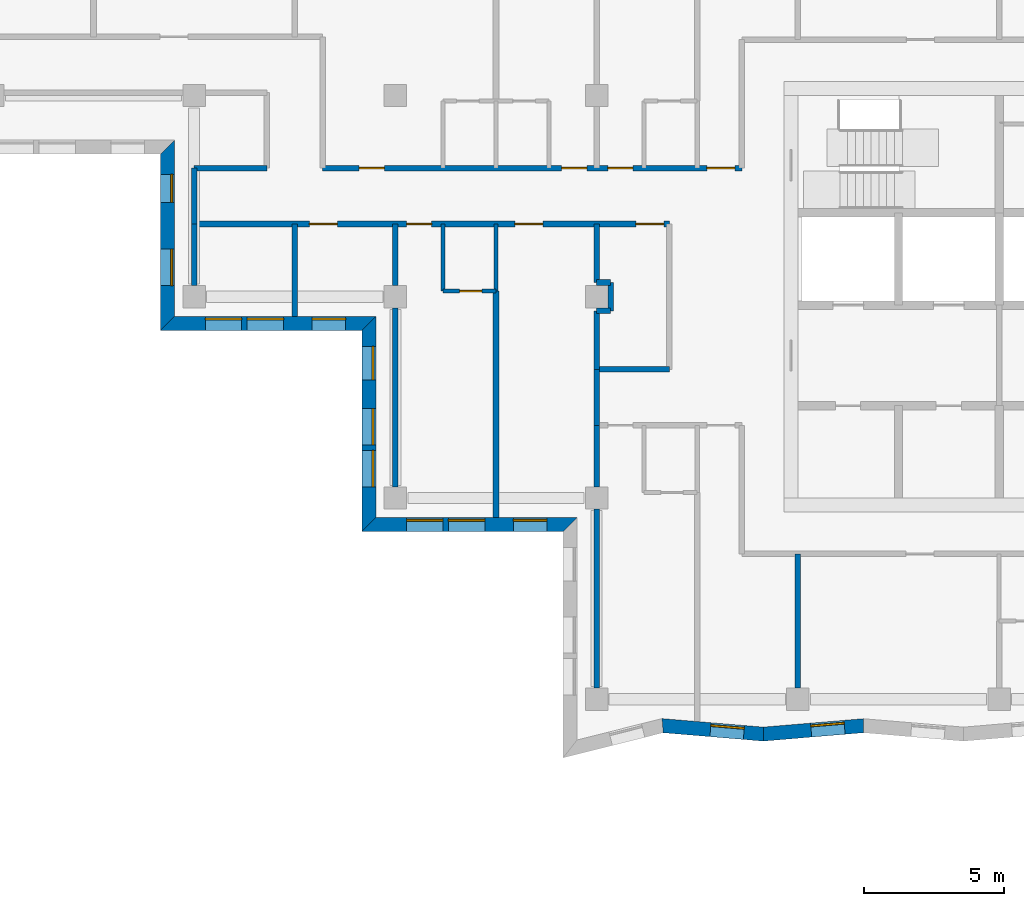
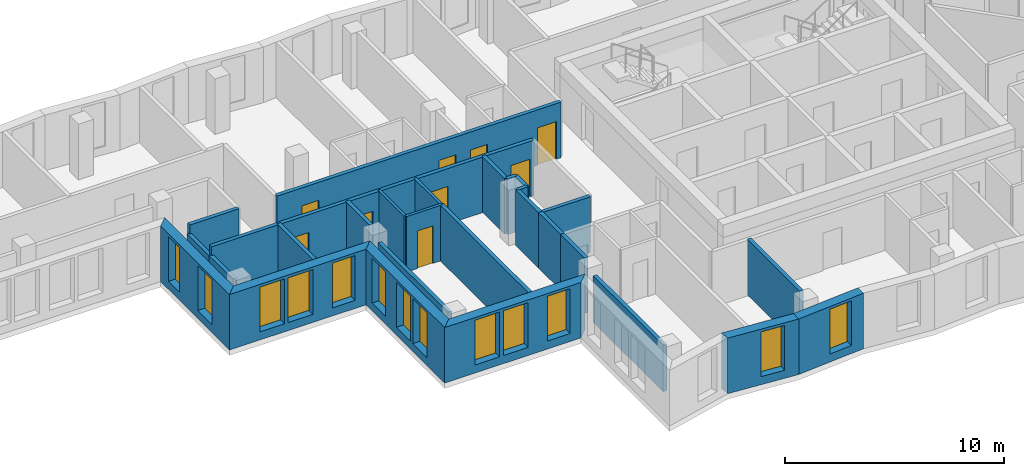
# One storey, part 2 of 11: 28 walls, 13 windows, 9 doors, 22 openings.
"""IFC4 building model written with IfcOpenShell, lengths in metres."""

from ifc_helpers import new_model, si_unit, direction, frame, frame_2d, origin, place, context, subcontext, project, spatial, polyline, rectangle, outline, extrude, material, layer, layer_set, type_object, element, fill, save


model = new_model("IFC4")

# Units and contexts
model_context = context("Model", 3, precision=1e-05, world=origin(), true_north=direction((0.0, 1.0)))
body_context = subcontext(model_context, "Body", "Model", "MODEL_VIEW")
ifc_project = project(units=[si_unit("LENGTHUNIT", "METRE"), si_unit("AREAUNIT", "SQUARE_METRE"), si_unit("VOLUMEUNIT", "CUBIC_METRE"), si_unit("PLANEANGLEUNIT", "RADIAN"), si_unit("MASSUNIT", "GRAM", prefix="KILO")], contexts=[model_context])

# Site, building, storey
site_placement = place(None, origin())
site = spatial("IfcSite", under=ifc_project, at=site_placement, CompositionType="ELEMENT")
building_placement = place(site_placement, origin())
building = spatial("IfcBuilding", under=site, at=building_placement, Name="Windrow Commons", CompositionType="ELEMENT")
storey_placement = place(building_placement, frame((0.0, 0.0, 189.6)))
storey = spatial("IfcBuildingStorey", under=building, at=storey_placement, Name="L51", CompositionType="ELEMENT", Elevation=189.6)

# Wall, openings, windows
ifc_material_1 = material(Name="Brick masonry, red clay brick", Category="masonry")
ifc_layer_1 = layer(ifc_material_1, 0.5)
ifc_layer_set_1 = layer_set([ifc_layer_1], Name="Brick facade wall 500")
wall_type_1 = type_object("IfcWallType", Name="Brick facade wall 500", PredefinedType="SOLIDWALL", material=ifc_layer_set_1)
wall_1_placement = place(storey_placement, frame((35.05, 62.95, 0.0), z_axis=(0.0, 0.0, 1.0), x_axis=(0.0, -1.0, 0.0)))
wall_1 = element("IfcWall", 1, at=wall_1_placement, inside=storey, type_object=wall_type_1, Name="Brick facade wall L51 35", PredefinedType="SOLIDWALL", context=body_context, shape_type="SweptSolid", body=[
    extrude(outline(polyline([(0.25, -0.25), (6.55, -0.25), (6.05, 0.25), (-0.25, 0.25), (0.25, -0.25)])), origin(), (0.0, 0.0, 1.0), 3.1),
])
opening_1_placement = place(wall_1_placement, frame((3.65, 0.0, 0.45)))
opening_1 = element("IfcOpeningElement", 2, at=opening_1_placement, cuts=wall_1, Name="Opening W1Q", PredefinedType="OPENING", context=body_context, shape_type="SweptSolid", body=[
    extrude(rectangle(XDim=1.3, YDim=2.5, at=frame_2d((0.65, 1.25))), frame((0.0, 0.26, 0.0), z_axis=(0.0, -1.0, 0.0), x_axis=(1.0, 0.0, 0.0)), (0.0, 0.0, 1.0), 0.52),
])
opening_2_placement = place(wall_1_placement, frame((0.975, 0.0, 0.45)))
opening_2 = element("IfcOpeningElement", 3, at=opening_2_placement, cuts=wall_1, Name="Opening W1S", PredefinedType="OPENING", context=body_context, shape_type="SweptSolid", body=[
    extrude(rectangle(XDim=1.0, YDim=2.5, at=frame_2d((0.5, 1.25))), frame((0.0, 0.26, 0.0), z_axis=(0.0, -1.0, 0.0), x_axis=(1.0, 0.0, 0.0)), (0.0, 0.0, 1.0), 0.52),
])
ifc_material_2 = material(Name="Clear float glass in anodised aluminium frame", Category="aluminium")
window_type_1 = type_object("IfcWindowType", Name="Window W1Q pair 1300x2500", PartitioningType="SINGLE_PANEL", PredefinedType="WINDOW", material=ifc_material_2)
window_1_placement = place(opening_1_placement, origin())
window_1 = element("IfcWindow", 4, at=window_1_placement, inside=storey, type_object=window_type_1, Name="Window L51 35.1B", OverallHeight=2.5, OverallWidth=1.3, PartitioningType="SINGLE_PANEL", PredefinedType="WINDOW", context=body_context, shape_type="SweptSolid", body=[
    extrude(rectangle(XDim=1.3, YDim=2.5, at=frame_2d((0.65, 1.25))), frame((0.0, 0.18, 0.0), z_axis=(0.0, -1.0, 0.0), x_axis=(1.0, 0.0, 0.0)), (0.0, 0.0, 1.0), 0.06),
])
fill(opening_1, window_1)
ifc_material_3 = material(Name="Clear float glass in anodised aluminium frame", Category="aluminium")
window_type_2 = type_object("IfcWindowType", Name="Window W1S slit 1000x2500", PartitioningType="SINGLE_PANEL", PredefinedType="WINDOW", material=ifc_material_3)
window_2_placement = place(opening_2_placement, origin())
window_2 = element("IfcWindow", 5, at=window_2_placement, inside=storey, type_object=window_type_2, Name="Window L51 35.2A", OverallHeight=2.5, OverallWidth=1.0, PartitioningType="SINGLE_PANEL", PredefinedType="WINDOW", context=body_context, shape_type="SweptSolid", body=[
    extrude(rectangle(XDim=1.0, YDim=2.5, at=frame_2d((0.5, 1.25))), frame((0.0, 0.18, 0.0), z_axis=(0.0, -1.0, 0.0), x_axis=(1.0, 0.0, 0.0)), (0.0, 0.0, 1.0), 0.06),
])
fill(opening_2, window_2)

wall_2_placement = place(storey_placement, frame((35.05, 56.65, 0.0), z_axis=(0.0, 0.0, 1.0), x_axis=(1.0, 0.0, 0.0)))
wall_2 = element("IfcWall", 6, at=wall_2_placement, inside=storey, type_object=wall_type_1, Name="Brick facade wall L51 36", PredefinedType="SOLIDWALL", context=body_context, shape_type="SweptSolid", body=[
    extrude(outline(polyline([(-0.25, -0.25), (6.95, -0.25), (7.45, 0.25), (0.25, 0.25), (-0.25, -0.25)])), origin(), (0.0, 0.0, 1.0), 3.1),
])
opening_3_placement = place(wall_2_placement, frame((1.35, 0.0, 0.45)))
opening_3 = element("IfcOpeningElement", 7, at=opening_3_placement, cuts=wall_2, Name="Opening W1Q", PredefinedType="OPENING", context=body_context, shape_type="SweptSolid", body=[
    extrude(rectangle(XDim=1.3, YDim=2.5, at=frame_2d((0.65, 1.25))), frame((0.0, 0.26, 0.0), z_axis=(0.0, -1.0, 0.0), x_axis=(1.0, 0.0, 0.0)), (0.0, 0.0, 1.0), 0.52),
])
opening_4_placement = place(wall_2_placement, frame((2.85, 0.0, 0.45)))
opening_4 = element("IfcOpeningElement", 8, at=opening_4_placement, cuts=wall_2, Name="Opening W1Q", PredefinedType="OPENING", context=body_context, shape_type="SweptSolid", body=[
    extrude(rectangle(XDim=1.3, YDim=2.5, at=frame_2d((0.65, 1.25))), frame((0.0, 0.26, 0.0), z_axis=(0.0, -1.0, 0.0), x_axis=(1.0, 0.0, 0.0)), (0.0, 0.0, 1.0), 0.52),
])
opening_5_placement = place(wall_2_placement, frame((5.175, 0.0, 0.45)))
opening_5 = element("IfcOpeningElement", 9, at=opening_5_placement, cuts=wall_2, Name="Opening W7E", PredefinedType="OPENING", context=body_context, shape_type="SweptSolid", body=[
    extrude(rectangle(XDim=1.2, YDim=2.5, at=frame_2d((0.6, 1.25))), frame((0.0, 0.26, 0.0), z_axis=(0.0, -1.0, 0.0), x_axis=(1.0, 0.0, 0.0)), (0.0, 0.0, 1.0), 0.52),
])
window_3_placement = place(opening_3_placement, origin())
window_3 = element("IfcWindow", 10, at=window_3_placement, inside=storey, type_object=window_type_1, Name="Window L51 36.1A", OverallHeight=2.5, OverallWidth=1.3, PartitioningType="SINGLE_PANEL", PredefinedType="WINDOW", context=body_context, shape_type="SweptSolid", body=[
    extrude(rectangle(XDim=1.3, YDim=2.5, at=frame_2d((0.65, 1.25))), frame((0.0, 0.18, 0.0), z_axis=(0.0, -1.0, 0.0), x_axis=(1.0, 0.0, 0.0)), (0.0, 0.0, 1.0), 0.06),
])
fill(opening_3, window_3)
window_4_placement = place(opening_4_placement, origin())
window_4 = element("IfcWindow", 11, at=window_4_placement, inside=storey, type_object=window_type_1, Name="Window L51 36.1B", OverallHeight=2.5, OverallWidth=1.3, PartitioningType="SINGLE_PANEL", PredefinedType="WINDOW", context=body_context, shape_type="SweptSolid", body=[
    extrude(rectangle(XDim=1.3, YDim=2.5, at=frame_2d((0.65, 1.25))), frame((0.0, 0.18, 0.0), z_axis=(0.0, -1.0, 0.0), x_axis=(1.0, 0.0, 0.0)), (0.0, 0.0, 1.0), 0.06),
])
fill(opening_4, window_4)
ifc_material_4 = material(Name="Clear float glass in anodised aluminium frame", Category="aluminium")
window_type_3 = type_object("IfcWindowType", Name="Window W7 notch 1200x2500", PartitioningType="SINGLE_PANEL", PredefinedType="WINDOW", material=ifc_material_4)
window_5_placement = place(opening_5_placement, origin())
window_5 = element("IfcWindow", 12, at=window_5_placement, inside=storey, type_object=window_type_3, Name="Window L51 36.2", OverallHeight=2.5, OverallWidth=1.2, PartitioningType="SINGLE_PANEL", PredefinedType="WINDOW", context=body_context, shape_type="SweptSolid", body=[
    extrude(rectangle(XDim=1.2, YDim=2.5, at=frame_2d((0.6, 1.25))), frame((0.0, 0.18, 0.0), z_axis=(0.0, -1.0, 0.0), x_axis=(1.0, 0.0, 0.0)), (0.0, 0.0, 1.0), 0.06),
])
fill(opening_5, window_5)

wall_3_placement = place(storey_placement, frame((42.25, 56.65, 0.0), z_axis=(0.0, 0.0, 1.0), x_axis=(0.0, -1.0, 0.0)))
wall_3 = element("IfcWall", 13, at=wall_3_placement, inside=storey, type_object=wall_type_1, Name="Brick facade wall L51 37", PredefinedType="SOLIDWALL", context=body_context, shape_type="SweptSolid", body=[
    extrude(outline(polyline([(0.25, -0.25), (7.45, -0.25), (6.95, 0.25), (-0.25, 0.25), (0.25, -0.25)])), origin(), (0.0, 0.0, 1.0), 3.1),
])
opening_6_placement = place(wall_3_placement, frame((3.05, 0.0, 0.45)))
opening_6 = element("IfcOpeningElement", 14, at=opening_6_placement, cuts=wall_3, Name="Opening W1Q", PredefinedType="OPENING", context=body_context, shape_type="SweptSolid", body=[
    extrude(rectangle(XDim=1.3, YDim=2.5, at=frame_2d((0.65, 1.25))), frame((0.0, 0.26, 0.0), z_axis=(0.0, -1.0, 0.0), x_axis=(1.0, 0.0, 0.0)), (0.0, 0.0, 1.0), 0.52),
])
opening_7_placement = place(wall_3_placement, frame((4.55, 0.0, 0.45)))
opening_7 = element("IfcOpeningElement", 15, at=opening_7_placement, cuts=wall_3, Name="Opening W1Q", PredefinedType="OPENING", context=body_context, shape_type="SweptSolid", body=[
    extrude(rectangle(XDim=1.3, YDim=2.5, at=frame_2d((0.65, 1.25))), frame((0.0, 0.26, 0.0), z_axis=(0.0, -1.0, 0.0), x_axis=(1.0, 0.0, 0.0)), (0.0, 0.0, 1.0), 0.52),
])
opening_8_placement = place(wall_3_placement, frame((0.825, 0.0, 0.45)))
opening_8 = element("IfcOpeningElement", 16, at=opening_8_placement, cuts=wall_3, Name="Opening W7E", PredefinedType="OPENING", context=body_context, shape_type="SweptSolid", body=[
    extrude(rectangle(XDim=1.2, YDim=2.5, at=frame_2d((0.6, 1.25))), frame((0.0, 0.26, 0.0), z_axis=(0.0, -1.0, 0.0), x_axis=(1.0, 0.0, 0.0)), (0.0, 0.0, 1.0), 0.52),
])
window_6_placement = place(opening_6_placement, origin())
window_6 = element("IfcWindow", 17, at=window_6_placement, inside=storey, type_object=window_type_1, Name="Window L51 37.1A", OverallHeight=2.5, OverallWidth=1.3, PartitioningType="SINGLE_PANEL", PredefinedType="WINDOW", context=body_context, shape_type="SweptSolid", body=[
    extrude(rectangle(XDim=1.3, YDim=2.5, at=frame_2d((0.65, 1.25))), frame((0.0, 0.18, 0.0), z_axis=(0.0, -1.0, 0.0), x_axis=(1.0, 0.0, 0.0)), (0.0, 0.0, 1.0), 0.06),
])
fill(opening_6, window_6)
window_7_placement = place(opening_7_placement, origin())
window_7 = element("IfcWindow", 18, at=window_7_placement, inside=storey, type_object=window_type_1, Name="Window L51 37.1B", OverallHeight=2.5, OverallWidth=1.3, PartitioningType="SINGLE_PANEL", PredefinedType="WINDOW", context=body_context, shape_type="SweptSolid", body=[
    extrude(rectangle(XDim=1.3, YDim=2.5, at=frame_2d((0.65, 1.25))), frame((0.0, 0.18, 0.0), z_axis=(0.0, -1.0, 0.0), x_axis=(1.0, 0.0, 0.0)), (0.0, 0.0, 1.0), 0.06),
])
fill(opening_7, window_7)
window_8_placement = place(opening_8_placement, origin())
window_8 = element("IfcWindow", 19, at=window_8_placement, inside=storey, type_object=window_type_3, Name="Window L51 37.2", OverallHeight=2.5, OverallWidth=1.2, PartitioningType="SINGLE_PANEL", PredefinedType="WINDOW", context=body_context, shape_type="SweptSolid", body=[
    extrude(rectangle(XDim=1.2, YDim=2.5, at=frame_2d((0.6, 1.25))), frame((0.0, 0.18, 0.0), z_axis=(0.0, -1.0, 0.0), x_axis=(1.0, 0.0, 0.0)), (0.0, 0.0, 1.0), 0.06),
])
fill(opening_8, window_8)

wall_4_placement = place(storey_placement, frame((42.25, 49.45, 0.0), z_axis=(0.0, 0.0, 1.0), x_axis=(1.0, 0.0, 0.0)))
wall_4 = element("IfcWall", 20, at=wall_4_placement, inside=storey, type_object=wall_type_1, Name="Brick facade wall L51 38", PredefinedType="SOLIDWALL", context=body_context, shape_type="SweptSolid", body=[
    extrude(outline(polyline([(-0.25, -0.25), (6.95, -0.25), (7.45, 0.25), (0.25, 0.25), (-0.25, -0.25)])), origin(), (0.0, 0.0, 1.0), 3.1),
])
opening_9_placement = place(wall_4_placement, frame((1.35, 0.0, 0.45)))
opening_9 = element("IfcOpeningElement", 21, at=opening_9_placement, cuts=wall_4, Name="Opening W1Q", PredefinedType="OPENING", context=body_context, shape_type="SweptSolid", body=[
    extrude(rectangle(XDim=1.3, YDim=2.5, at=frame_2d((0.65, 1.25))), frame((0.0, 0.26, 0.0), z_axis=(0.0, -1.0, 0.0), x_axis=(1.0, 0.0, 0.0)), (0.0, 0.0, 1.0), 0.52),
])
opening_10_placement = place(wall_4_placement, frame((2.85, 0.0, 0.45)))
opening_10 = element("IfcOpeningElement", 22, at=opening_10_placement, cuts=wall_4, Name="Opening W1Q", PredefinedType="OPENING", context=body_context, shape_type="SweptSolid", body=[
    extrude(rectangle(XDim=1.3, YDim=2.5, at=frame_2d((0.65, 1.25))), frame((0.0, 0.26, 0.0), z_axis=(0.0, -1.0, 0.0), x_axis=(1.0, 0.0, 0.0)), (0.0, 0.0, 1.0), 0.52),
])
opening_11_placement = place(wall_4_placement, frame((5.175, 0.0, 0.45)))
opening_11 = element("IfcOpeningElement", 23, at=opening_11_placement, cuts=wall_4, Name="Opening W7E", PredefinedType="OPENING", context=body_context, shape_type="SweptSolid", body=[
    extrude(rectangle(XDim=1.2, YDim=2.5, at=frame_2d((0.6, 1.25))), frame((0.0, 0.26, 0.0), z_axis=(0.0, -1.0, 0.0), x_axis=(1.0, 0.0, 0.0)), (0.0, 0.0, 1.0), 0.52),
])
window_9_placement = place(opening_9_placement, origin())
window_9 = element("IfcWindow", 24, at=window_9_placement, inside=storey, type_object=window_type_1, Name="Window L51 38.1A", OverallHeight=2.5, OverallWidth=1.3, PartitioningType="SINGLE_PANEL", PredefinedType="WINDOW", context=body_context, shape_type="SweptSolid", body=[
    extrude(rectangle(XDim=1.3, YDim=2.5, at=frame_2d((0.65, 1.25))), frame((0.0, 0.18, 0.0), z_axis=(0.0, -1.0, 0.0), x_axis=(1.0, 0.0, 0.0)), (0.0, 0.0, 1.0), 0.06),
])
fill(opening_9, window_9)
window_10_placement = place(opening_10_placement, origin())
window_10 = element("IfcWindow", 25, at=window_10_placement, inside=storey, type_object=window_type_1, Name="Window L51 38.1B", OverallHeight=2.5, OverallWidth=1.3, PartitioningType="SINGLE_PANEL", PredefinedType="WINDOW", context=body_context, shape_type="SweptSolid", body=[
    extrude(rectangle(XDim=1.3, YDim=2.5, at=frame_2d((0.65, 1.25))), frame((0.0, 0.18, 0.0), z_axis=(0.0, -1.0, 0.0), x_axis=(1.0, 0.0, 0.0)), (0.0, 0.0, 1.0), 0.06),
])
fill(opening_10, window_10)
window_11_placement = place(opening_11_placement, origin())
window_11 = element("IfcWindow", 26, at=window_11_placement, inside=storey, type_object=window_type_3, Name="Window L51 38.2", OverallHeight=2.5, OverallWidth=1.2, PartitioningType="SINGLE_PANEL", PredefinedType="WINDOW", context=body_context, shape_type="SweptSolid", body=[
    extrude(rectangle(XDim=1.2, YDim=2.5, at=frame_2d((0.6, 1.25))), frame((0.0, 0.18, 0.0), z_axis=(0.0, -1.0, 0.0), x_axis=(1.0, 0.0, 0.0)), (0.0, 0.0, 1.0), 0.06),
])
fill(opening_11, window_11)

# Wall, opening, window
wall_5_placement = place(storey_placement, frame((52.7614, 42.2526, 0.0), z_axis=(0.0, 0.0, 1.0), x_axis=(0.9965117188, -0.0834529466, 0.0)))
wall_5 = element("IfcWall", 27, at=wall_5_placement, inside=storey, type_object=wall_type_1, Name="Brick facade wall L51 41", PredefinedType="SOLIDWALL", context=body_context, shape_type="SweptSolid", body=[
    extrude(outline(polyline([(0.0416, -0.25), (3.6361, -0.25), (3.5942, 0.25), (-0.0416, 0.25), (0.0416, -0.25)])), origin(), (0.0, 0.0, 1.0), 3.1),
])
opening_12_placement = place(wall_5_placement, frame((1.7186, 0.0, 0.45)))
opening_12 = element("IfcOpeningElement", 28, at=opening_12_placement, cuts=wall_5, Name="Opening W7E", PredefinedType="OPENING", context=body_context, shape_type="SweptSolid", body=[
    extrude(rectangle(XDim=1.2, YDim=2.5, at=frame_2d((0.6, 1.25))), frame((0.0, 0.26, 0.0), z_axis=(0.0, -1.0, 0.0), x_axis=(1.0, 0.0, 0.0)), (0.0, 0.0, 1.0), 0.52),
])
window_12_placement = place(opening_12_placement, origin())
window_12 = element("IfcWindow", 29, at=window_12_placement, inside=storey, type_object=window_type_3, Name="Window L51 41.1", OverallHeight=2.5, OverallWidth=1.2, PartitioningType="SINGLE_PANEL", PredefinedType="WINDOW", context=body_context, shape_type="SweptSolid", body=[
    extrude(rectangle(XDim=1.2, YDim=2.5, at=frame_2d((0.6, 1.25))), frame((0.0, 0.18, 0.0), z_axis=(0.0, -1.0, 0.0), x_axis=(1.0, 0.0, 0.0)), (0.0, 0.0, 1.0), 0.06),
])
fill(opening_12, window_12)

wall_6_placement = place(storey_placement, frame((56.364, 41.9509, 0.0), z_axis=(0.0, 0.0, 1.0), x_axis=(0.9965111369, 0.0834598942, 0.0)))
wall_6 = element("IfcWall", 30, at=wall_6_placement, inside=storey, type_object=wall_type_1, Name="Brick facade wall L51 42", PredefinedType="SOLIDWALL", context=body_context, shape_type="SweptSolid", body=[
    extrude(outline(polyline([(-0.0209, -0.25), (3.5736, -0.25), (3.6155, 0.25), (0.0209, 0.25), (-0.0209, -0.25)])), origin(), (0.0, 0.0, 1.0), 3.1),
])
opening_13_placement = place(wall_6_placement, frame((1.7174, 0.0, 0.45)))
opening_13 = element("IfcOpeningElement", 31, at=opening_13_placement, cuts=wall_6, Name="Opening W7E", PredefinedType="OPENING", context=body_context, shape_type="SweptSolid", body=[
    extrude(rectangle(XDim=1.2, YDim=2.5, at=frame_2d((0.6, 1.25))), frame((0.0, 0.26, 0.0), z_axis=(0.0, -1.0, 0.0), x_axis=(1.0, 0.0, 0.0)), (0.0, 0.0, 1.0), 0.52),
])
window_13_placement = place(opening_13_placement, origin())
window_13 = element("IfcWindow", 32, at=window_13_placement, inside=storey, type_object=window_type_3, Name="Window L51 42.1", OverallHeight=2.5, OverallWidth=1.2, PartitioningType="SINGLE_PANEL", PredefinedType="WINDOW", context=body_context, shape_type="SweptSolid", body=[
    extrude(rectangle(XDim=1.2, YDim=2.5, at=frame_2d((0.6, 1.25))), frame((0.0, 0.18, 0.0), z_axis=(0.0, -1.0, 0.0), x_axis=(1.0, 0.0, 0.0)), (0.0, 0.0, 1.0), 0.06),
])
fill(opening_13, window_13)

# Wall, openings, doors
ifc_material_5 = material(Name="Blockwork partition", Category="masonry")
ifc_layer_2 = layer(ifc_material_5, 0.2)
ifc_layer_set_2 = layer_set([ifc_layer_2], Name="IW-CORRIDOR-200")
wall_type_2 = type_object("IfcWallType", Name="IW-CORRIDOR-200", PredefinedType="PARTITIONING", material=ifc_layer_set_2)
wall_7_placement = place(storey_placement, frame((36.0, 60.2, 0.0), z_axis=(0.0, 0.0, 1.0), x_axis=(1.0, 0.0, 0.0)))
wall_7 = element("IfcWall", 33, at=wall_7_placement, inside=storey, type_object=wall_type_2, Name="W-L51-W003", PredefinedType="PARTITIONING", context=body_context, shape_type="SweptSolid", body=[
    extrude(rectangle(XDim=17.0, YDim=0.2, at=frame_2d((8.5, 0.0))), origin(), (0.0, 0.0, 1.0), 3.1),
])
opening_14_placement = place(wall_7_placement, frame((4.125, 0.0, 0.0)))
opening_14 = element("IfcOpeningElement", 34, at=opening_14_placement, cuts=wall_7, Name="Opening D310F", PredefinedType="OPENING", context=body_context, shape_type="SweptSolid", body=[
    extrude(rectangle(XDim=1.0, YDim=2.1, at=frame_2d((0.5, 1.05))), frame((0.0, 0.11, 0.0), z_axis=(0.0, -1.0, 0.0), x_axis=(1.0, 0.0, 0.0)), (0.0, 0.0, 1.0), 0.22),
])
opening_15_placement = place(wall_7_placement, frame((7.6, 0.0, 0.0)))
opening_15 = element("IfcOpeningElement", 35, at=opening_15_placement, cuts=wall_7, Name="Opening D109S", PredefinedType="OPENING", context=body_context, shape_type="SweptSolid", body=[
    extrude(rectangle(XDim=0.9, YDim=2.1, at=frame_2d((0.45, 1.05))), frame((0.0, 0.11, 0.0), z_axis=(0.0, -1.0, 0.0), x_axis=(1.0, 0.0, 0.0)), (0.0, 0.0, 1.0), 0.22),
])
opening_16_placement = place(wall_7_placement, frame((11.48, 0.0, 0.0)))
opening_16 = element("IfcOpeningElement", 36, at=opening_16_placement, cuts=wall_7, Name="Opening D310F", PredefinedType="OPENING", context=body_context, shape_type="SweptSolid", body=[
    extrude(rectangle(XDim=1.0, YDim=2.1, at=frame_2d((0.5, 1.05))), frame((0.0, 0.11, 0.0), z_axis=(0.0, -1.0, 0.0), x_axis=(1.0, 0.0, 0.0)), (0.0, 0.0, 1.0), 0.22),
])
opening_17_placement = place(wall_7_placement, frame((15.805, 0.0, 0.0)))
opening_17 = element("IfcOpeningElement", 37, at=opening_17_placement, cuts=wall_7, Name="Opening D410F", PredefinedType="OPENING", context=body_context, shape_type="SweptSolid", body=[
    extrude(rectangle(XDim=1.0, YDim=2.1, at=frame_2d((0.5, 1.05))), frame((0.0, 0.11, 0.0), z_axis=(0.0, -1.0, 0.0), x_axis=(1.0, 0.0, 0.0)), (0.0, 0.0, 1.0), 0.22),
])
ifc_material_6 = material(Name="Timber door leaf", Category="wood")
door_type_1 = type_object("IfcDoorType", Name="DT-AMENITY-1000", OperationType="SINGLE_SWING_LEFT", PredefinedType="DOOR", material=ifc_material_6)
door_1_placement = place(opening_14_placement, origin())
door_1 = element("IfcDoor", 38, at=door_1_placement, inside=storey, type_object=door_type_1, Name="D-L51-D007", OperationType="SINGLE_SWING_RIGHT", OverallHeight=2.1, OverallWidth=1.0, PredefinedType="DOOR", context=body_context, shape_type="SweptSolid", body=[
    extrude(rectangle(XDim=1.0, YDim=2.1, at=frame_2d((0.5, 1.05))), frame((0.0, 0.025, 0.0), z_axis=(0.0, -1.0, 0.0), x_axis=(1.0, 0.0, 0.0)), (0.0, 0.0, 1.0), 0.05),
])
fill(opening_14, door_1)
door_2_placement = place(opening_16_placement, origin())
door_2 = element("IfcDoor", 39, at=door_2_placement, inside=storey, type_object=door_type_1, Name="D-L51-D020", OperationType="SINGLE_SWING_RIGHT", OverallHeight=2.1, OverallWidth=1.0, PredefinedType="DOOR", context=body_context, shape_type="SweptSolid", body=[
    extrude(rectangle(XDim=1.0, YDim=2.1, at=frame_2d((0.5, 1.05))), frame((0.0, 0.025, 0.0), z_axis=(0.0, -1.0, 0.0), x_axis=(1.0, 0.0, 0.0)), (0.0, 0.0, 1.0), 0.05),
])
fill(opening_16, door_2)
ifc_material_7 = material(Name="Timber door leaf", Category="wood")
door_type_2 = type_object("IfcDoorType", Name="DT-BEDROOM-900", OperationType="SINGLE_SWING_LEFT", PredefinedType="DOOR", material=ifc_material_7)
door_3_placement = place(opening_15_placement, origin())
door_3 = element("IfcDoor", 40, at=door_3_placement, inside=storey, type_object=door_type_2, Name="D-L51-D008", OperationType="SINGLE_SWING_LEFT", OverallHeight=2.1, OverallWidth=0.9, PredefinedType="DOOR", context=body_context, shape_type="SweptSolid", body=[
    extrude(rectangle(XDim=0.9, YDim=2.1, at=frame_2d((0.45, 1.05))), frame((0.0, 0.025, 0.0), z_axis=(0.0, -1.0, 0.0), x_axis=(1.0, 0.0, 0.0)), (0.0, 0.0, 1.0), 0.05),
])
fill(opening_15, door_3)
ifc_material_8 = material(Name="Timber door leaf", Category="wood")
door_type_3 = type_object("IfcDoorType", Name="DT-SERVICE-1000", OperationType="SINGLE_SWING_LEFT", PredefinedType="DOOR", material=ifc_material_8)
door_4_placement = place(opening_17_placement, origin())
door_4 = element("IfcDoor", 41, at=door_4_placement, inside=storey, type_object=door_type_3, Name="D-L51-D021", OperationType="SINGLE_SWING_LEFT", OverallHeight=2.1, OverallWidth=1.0, PredefinedType="DOOR", context=body_context, shape_type="SweptSolid", body=[
    extrude(rectangle(XDim=1.0, YDim=2.1, at=frame_2d((0.5, 1.05))), frame((0.0, 0.025, 0.0), z_axis=(0.0, -1.0, 0.0), x_axis=(1.0, 0.0, 0.0)), (0.0, 0.0, 1.0), 0.05),
])
fill(opening_17, door_4)

wall_8_placement = place(storey_placement, frame((40.602, 62.2, 0.0), z_axis=(0.0, 0.0, 1.0), x_axis=(1.0, 0.0, 0.0)))
wall_8 = element("IfcWall", 42, at=wall_8_placement, inside=storey, type_object=wall_type_2, Name="W-L51-W004", PredefinedType="PARTITIONING", context=body_context, shape_type="SweptSolid", body=[
    extrude(rectangle(XDim=14.998, YDim=0.2, at=frame_2d((7.499, 0.0))), origin(), (0.0, 0.0, 1.0), 3.1),
])
opening_18_placement = place(wall_8_placement, frame((1.3056, 0.0, 0.0)))
opening_18 = element("IfcOpeningElement", 43, at=opening_18_placement, cuts=wall_8, Name="Opening D109F", PredefinedType="OPENING", context=body_context, shape_type="SweptSolid", body=[
    extrude(rectangle(XDim=0.9, YDim=2.1, at=frame_2d((0.45, 1.05))), frame((0.0, 0.11, 0.0), z_axis=(0.0, -1.0, 0.0), x_axis=(1.0, 0.0, 0.0)), (0.0, 0.0, 1.0), 0.22),
])
opening_19_placement = place(wall_8_placement, frame((8.548, 0.0, 0.0)))
opening_19 = element("IfcOpeningElement", 44, at=opening_19_placement, cuts=wall_8, Name="Opening D109S", PredefinedType="OPENING", context=body_context, shape_type="SweptSolid", body=[
    extrude(rectangle(XDim=0.9, YDim=2.1, at=frame_2d((0.45, 1.05))), frame((0.0, 0.11, 0.0), z_axis=(0.0, -1.0, 0.0), x_axis=(1.0, 0.0, 0.0)), (0.0, 0.0, 1.0), 0.22),
])
opening_20_placement = place(wall_8_placement, frame((10.198, 0.0, 0.0)))
opening_20 = element("IfcOpeningElement", 45, at=opening_20_placement, cuts=wall_8, Name="Opening D109S", PredefinedType="OPENING", context=body_context, shape_type="SweptSolid", body=[
    extrude(rectangle(XDim=0.9, YDim=2.1, at=frame_2d((0.45, 1.05))), frame((0.0, 0.11, 0.0), z_axis=(0.0, -1.0, 0.0), x_axis=(1.0, 0.0, 0.0)), (0.0, 0.0, 1.0), 0.22),
])
opening_21_placement = place(wall_8_placement, frame((13.7456, 0.0, 0.0)))
opening_21 = element("IfcOpeningElement", 46, at=opening_21_placement, cuts=wall_8, Name="Opening D310F", PredefinedType="OPENING", context=body_context, shape_type="SweptSolid", body=[
    extrude(rectangle(XDim=1.0, YDim=2.1, at=frame_2d((0.5, 1.05))), frame((0.0, 0.11, 0.0), z_axis=(0.0, -1.0, 0.0), x_axis=(1.0, 0.0, 0.0)), (0.0, 0.0, 1.0), 0.22),
])
door_5_placement = place(opening_21_placement, origin())
door_5 = element("IfcDoor", 47, at=door_5_placement, inside=storey, type_object=door_type_1, Name="D-L51-D016", OperationType="SINGLE_SWING_LEFT", OverallHeight=2.1, OverallWidth=1.0, PredefinedType="DOOR", context=body_context, shape_type="SweptSolid", body=[
    extrude(rectangle(XDim=1.0, YDim=2.1, at=frame_2d((0.5, 1.05))), frame((0.0, 0.025, 0.0), z_axis=(0.0, -1.0, 0.0), x_axis=(1.0, 0.0, 0.0)), (0.0, 0.0, 1.0), 0.05),
])
fill(opening_21, door_5)
door_6_placement = place(opening_18_placement, origin())
door_6 = element("IfcDoor", 48, at=door_6_placement, inside=storey, type_object=door_type_2, Name="D-L51-D010", OperationType="SINGLE_SWING_LEFT", OverallHeight=2.1, OverallWidth=0.9, PredefinedType="DOOR", context=body_context, shape_type="SweptSolid", body=[
    extrude(rectangle(XDim=0.9, YDim=2.1, at=frame_2d((0.45, 1.05))), frame((0.0, 0.025, 0.0), z_axis=(0.0, -1.0, 0.0), x_axis=(1.0, 0.0, 0.0)), (0.0, 0.0, 1.0), 0.05),
])
fill(opening_18, door_6)
door_7_placement = place(opening_19_placement, origin())
door_7 = element("IfcDoor", 49, at=door_7_placement, inside=storey, type_object=door_type_2, Name="D-L51-D012", OperationType="SINGLE_SWING_LEFT", OverallHeight=2.1, OverallWidth=0.9, PredefinedType="DOOR", context=body_context, shape_type="SweptSolid", body=[
    extrude(rectangle(XDim=0.9, YDim=2.1, at=frame_2d((0.45, 1.05))), frame((0.0, 0.025, 0.0), z_axis=(0.0, -1.0, 0.0), x_axis=(1.0, 0.0, 0.0)), (0.0, 0.0, 1.0), 0.05),
])
fill(opening_19, door_7)
door_8_placement = place(opening_20_placement, origin())
door_8 = element("IfcDoor", 50, at=door_8_placement, inside=storey, type_object=door_type_2, Name="D-L51-D014", OperationType="SINGLE_SWING_RIGHT", OverallHeight=2.1, OverallWidth=0.9, PredefinedType="DOOR", context=body_context, shape_type="SweptSolid", body=[
    extrude(rectangle(XDim=0.9, YDim=2.1, at=frame_2d((0.45, 1.05))), frame((0.0, 0.025, 0.0), z_axis=(0.0, -1.0, 0.0), x_axis=(1.0, 0.0, 0.0)), (0.0, 0.0, 1.0), 0.05),
])
fill(opening_20, door_8)

# Walls
for number, where, z_axis, x_axis, name in (
    (51, (36.0, 62.2, 0.0), (0.0, 0.0, 1.0), (1.0, 0.0, 0.0), "W-L51-W057"),
    (52, (50.4, 55.0, 0.0), (0.0, 0.0, 1.0), (1.0, 0.0, 0.0), "W-L51-W058"),
):
    element("IfcWall", number, at=place(storey_placement, frame(where, z_axis=z_axis, x_axis=x_axis)), inside=storey, type_object=wall_type_2, Name=name, PredefinedType="PARTITIONING", context=body_context, shape_type="SweptSolid", body=[
        extrude(rectangle(XDim=2.6, YDim=0.2, at=frame_2d((1.3, 0.0))), origin(), (0.0, 0.0, 1.0), 3.1),
    ])
wall_9_placement = place(storey_placement, frame((36.0, 60.2, 0.0), z_axis=(0.0, 0.0, 1.0), x_axis=(0.0, 1.0, 0.0)))
element("IfcWall", 53, at=wall_9_placement, inside=storey, type_object=wall_type_2, Name="W-L51-W098", PredefinedType="PARTITIONING", context=body_context, shape_type="SweptSolid", body=[
    extrude(rectangle(XDim=2.0, YDim=0.2, at=frame_2d((1.0, 0.0))), origin(), (0.0, 0.0, 1.0), 2.6),
])
wall_10_placement = place(storey_placement, frame((50.4, 53.0, 0.0), z_axis=(0.0, 0.0, 1.0), x_axis=(0.0, 1.0, 0.0)))
element("IfcWall", 54, at=wall_10_placement, inside=storey, type_object=wall_type_2, Name="W-L51-W099", PredefinedType="PARTITIONING", context=body_context, shape_type="SweptSolid", body=[
    extrude(rectangle(XDim=2.0, YDim=0.2, at=frame_2d((1.0, 0.0))), origin(), (0.0, 0.0, 1.0), 3.1),
])
ifc_material_9 = material(Name="Blockwork partition", Category="masonry")
ifc_layer_3 = layer(ifc_material_9, 0.15)
ifc_layer_set_3 = layer_set([ifc_layer_3], Name="IW-ENSUITE-150")
wall_type_3 = type_object("IfcWallType", Name="IW-ENSUITE-150", PredefinedType="PARTITIONING", material=ifc_layer_set_3)
for number, where, z_axis, x_axis, name in (
    (55, (44.9, 57.8, 0.0), (0.0, 0.0, 1.0), (0.0, 1.0, 0.0), "W-L51-W064"),
    (56, (46.8, 57.8, 0.0), (0.0, 0.0, 1.0), (0.0, 1.0, 0.0), "W-L51-W065"),
):
    element("IfcWall", number, at=place(storey_placement, frame(where, z_axis=z_axis, x_axis=x_axis)), inside=storey, type_object=wall_type_3, Name=name, PredefinedType="PARTITIONING", context=body_context, shape_type="SweptSolid", body=[
        extrude(rectangle(XDim=2.4, YDim=0.15, at=frame_2d((1.2, 0.0))), origin(), (0.0, 0.0, 1.0), 3.1),
    ])

# Wall, opening, door
wall_11_placement = place(storey_placement, frame((44.9, 57.8, 0.0), z_axis=(0.0, 0.0, 1.0), x_axis=(1.0, 0.0, 0.0)))
wall_11 = element("IfcWall", 57, at=wall_11_placement, inside=storey, type_object=wall_type_3, Name="W-L51-W106", PredefinedType="PARTITIONING", context=body_context, shape_type="SweptSolid", body=[
    extrude(rectangle(XDim=1.9, YDim=0.15, at=frame_2d((0.95, 0.0))), origin(), (0.0, 0.0, 1.0), 3.1),
])
opening_22_placement = place(wall_11_placement, frame((0.5979, 0.0, 0.0)))
opening_22 = element("IfcOpeningElement", 58, at=opening_22_placement, cuts=wall_11, Name="Opening D208N", PredefinedType="OPENING", context=body_context, shape_type="SweptSolid", body=[
    extrude(rectangle(XDim=0.8, YDim=2.1, at=frame_2d((0.4, 1.05))), frame((0.0, 0.085, 0.0), z_axis=(0.0, -1.0, 0.0), x_axis=(1.0, 0.0, 0.0)), (0.0, 0.0, 1.0), 0.17),
])
ifc_material_10 = material(Name="Timber door leaf", Category="wood")
door_type_4 = type_object("IfcDoorType", Name="DT-ENSUITE-800", OperationType="SINGLE_SWING_LEFT", PredefinedType="DOOR", material=ifc_material_10)
door_9_placement = place(opening_22_placement, origin())
door_9 = element("IfcDoor", 59, at=door_9_placement, inside=storey, type_object=door_type_4, Name="D-L51-D009", OperationType="SINGLE_SWING_RIGHT", OverallHeight=2.1, OverallWidth=0.8, PredefinedType="DOOR", context=body_context, shape_type="SweptSolid", body=[
    extrude(rectangle(XDim=0.8, YDim=2.1, at=frame_2d((0.4, 1.05))), frame((0.0, 0.025, 0.0), z_axis=(0.0, -1.0, 0.0), x_axis=(1.0, 0.0, 0.0)), (0.0, 0.0, 1.0), 0.05),
])
fill(opening_22, door_9)

# Walls
ifc_material_11 = material(Name="Blockwork partition", Category="masonry")
ifc_layer_4 = layer(ifc_material_11, 0.2)
ifc_layer_set_4 = layer_set([ifc_layer_4], Name="IW-PARTY-200")
wall_type_4 = type_object("IfcWallType", Name="IW-PARTY-200", PredefinedType="PARTITIONING", material=ifc_layer_set_4)
wall_12_placement = place(storey_placement, frame((46.8, 49.7, 0.0), z_axis=(0.0, 0.0, 1.0), x_axis=(0.0, 1.0, 0.0)))
element("IfcWall", 60, at=wall_12_placement, inside=storey, type_object=wall_type_4, Name="W-L51-W015", PredefinedType="PARTITIONING", context=body_context, shape_type="SweptSolid", body=[
    extrude(rectangle(XDim=8.1, YDim=0.2, at=frame_2d((4.05, 0.0))), origin(), (0.0, 0.0, 1.0), 3.1),
])
for number, where, z_axis, x_axis, name in (
    (61, (43.2, 50.8, 0.0), (0.0, 0.0, 1.0), (0.0, 1.0, 0.0), "W-L51-W017"),
    (62, (50.4, 43.6, 0.0), (0.0, 0.0, 1.0), (0.0, 1.0, 0.0), "W-L51-W020"),
):
    element("IfcWall", number, at=place(storey_placement, frame(where, z_axis=z_axis, x_axis=x_axis)), inside=storey, type_object=wall_type_4, Name=name, PredefinedType="PARTITIONING", context=body_context, shape_type="SweptSolid", body=[
        extrude(rectangle(XDim=6.4, YDim=0.2, at=frame_2d((3.2, 0.0))), origin(), (0.0, 0.0, 1.0), 2.6),
    ])
wall_13_placement = place(storey_placement, frame((57.6, 43.6, 0.0), z_axis=(0.0, 0.0, 1.0), x_axis=(0.0, 1.0, 0.0)))
element("IfcWall", 63, at=wall_13_placement, inside=storey, type_object=wall_type_4, Name="W-L51-W037", PredefinedType="PARTITIONING", context=body_context, shape_type="SweptSolid", body=[
    extrude(rectangle(XDim=4.8, YDim=0.2, at=frame_2d((2.4, 0.0))), origin(), (0.0, 0.0, 1.0), 3.1),
])
wall_14_placement = place(storey_placement, frame((39.6, 56.9, 0.0), z_axis=(0.0, 0.0, 1.0), x_axis=(0.0, 1.0, 0.0)))
element("IfcWall", 64, at=wall_14_placement, inside=storey, type_object=wall_type_4, Name="W-L51-W052", PredefinedType="PARTITIONING", context=body_context, shape_type="SweptSolid", body=[
    extrude(rectangle(XDim=3.3, YDim=0.2, at=frame_2d((1.65, 0.0))), origin(), (0.0, 0.0, 1.0), 3.1),
])
wall_15_placement = place(storey_placement, frame((36.0, 58.0, 0.0), z_axis=(0.0, 0.0, 1.0), x_axis=(0.0, 1.0, 0.0)))
element("IfcWall", 65, at=wall_15_placement, inside=storey, type_object=wall_type_4, Name="W-L51-W087", PredefinedType="PARTITIONING", context=body_context, shape_type="SweptSolid", body=[
    extrude(rectangle(XDim=2.2, YDim=0.2, at=frame_2d((1.1, 0.0))), origin(), (0.0, 0.0, 1.0), 2.6),
])
for number, where, z_axis, x_axis, name in (
    (66, (43.2, 58.0, 0.0), (0.0, 0.0, 1.0), (0.0, 1.0, 0.0), "W-L51-W088"),
    (67, (50.4, 50.8, 0.0), (0.0, 0.0, 1.0), (0.0, 1.0, 0.0), "W-L51-W089"),
):
    element("IfcWall", number, at=place(storey_placement, frame(where, z_axis=z_axis, x_axis=x_axis)), inside=storey, type_object=wall_type_4, Name=name, PredefinedType="PARTITIONING", context=body_context, shape_type="SweptSolid", body=[
        extrude(rectangle(XDim=2.2, YDim=0.2, at=frame_2d((1.1, 0.0))), origin(), (0.0, 0.0, 1.0), 3.1),
    ])
wall_16_placement = place(storey_placement, frame((50.4, 55.0, 0.0), z_axis=(0.0, 0.0, 1.0), x_axis=(0.0, 1.0, 0.0)))
element("IfcWall", 68, at=wall_16_placement, inside=storey, type_object=wall_type_4, Name="W-L51-W092", PredefinedType="PARTITIONING", context=body_context, shape_type="SweptSolid", body=[
    extrude(rectangle(XDim=2.096, YDim=0.2, at=frame_2d((1.048, 0.0))), origin(), (0.0, 0.0, 1.0), 3.1),
])
wall_17_placement = place(storey_placement, frame((50.4, 58.106, 0.0), z_axis=(0.0, 0.0, 1.0), x_axis=(0.0, 1.0, 0.0)))
element("IfcWall", 69, at=wall_17_placement, inside=storey, type_object=wall_type_4, Name="W-L51-W093", PredefinedType="PARTITIONING", context=body_context, shape_type="SweptSolid", body=[
    extrude(rectangle(XDim=2.094, YDim=0.2, at=frame_2d((1.047, 0.0))), origin(), (0.0, 0.0, 1.0), 3.1),
])
wall_18_placement = place(storey_placement, frame((50.9, 57.096, 0.0), z_axis=(0.0, 0.0, 1.0), x_axis=(0.0, 1.0, 0.0)))
element("IfcWall", 70, at=wall_18_placement, inside=storey, type_object=wall_type_4, Name="W-L51-W122", PredefinedType="PARTITIONING", context=body_context, shape_type="SweptSolid", body=[
    extrude(rectangle(XDim=1.01, YDim=0.2, at=frame_2d((0.505, 0.0))), origin(), (0.0, 0.0, 1.0), 3.1),
])
for number, where, z_axis, x_axis, name in (
    (71, (50.4, 58.11, 0.0), (0.0, 0.0, 1.0), (1.0, 0.0, 0.0), "W-L51-W130"),
    (72, (50.4, 57.1, 0.0), (0.0, 0.0, 1.0), (1.0, 0.0, 0.0), "W-L51-W131"),
):
    element("IfcWall", number, at=place(storey_placement, frame(where, z_axis=z_axis, x_axis=x_axis)), inside=storey, type_object=wall_type_4, Name=name, PredefinedType="PARTITIONING", context=body_context, shape_type="SweptSolid", body=[
        extrude(rectangle(XDim=0.5, YDim=0.2, at=frame_2d((0.25, 0.0))), origin(), (0.0, 0.0, 1.0), 3.1),
    ])

save(model, "model.ifc")
